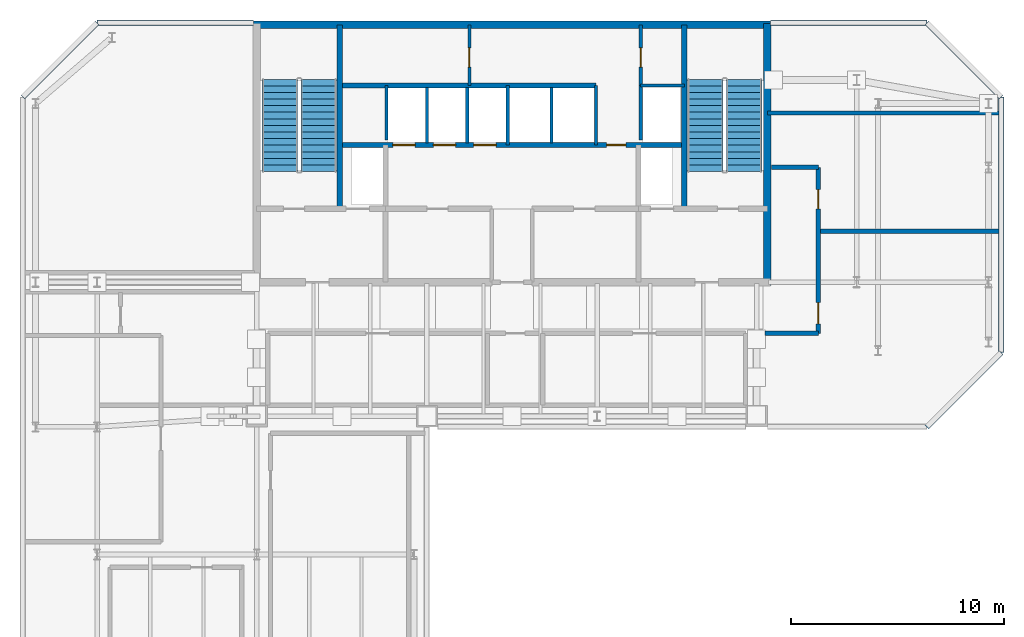
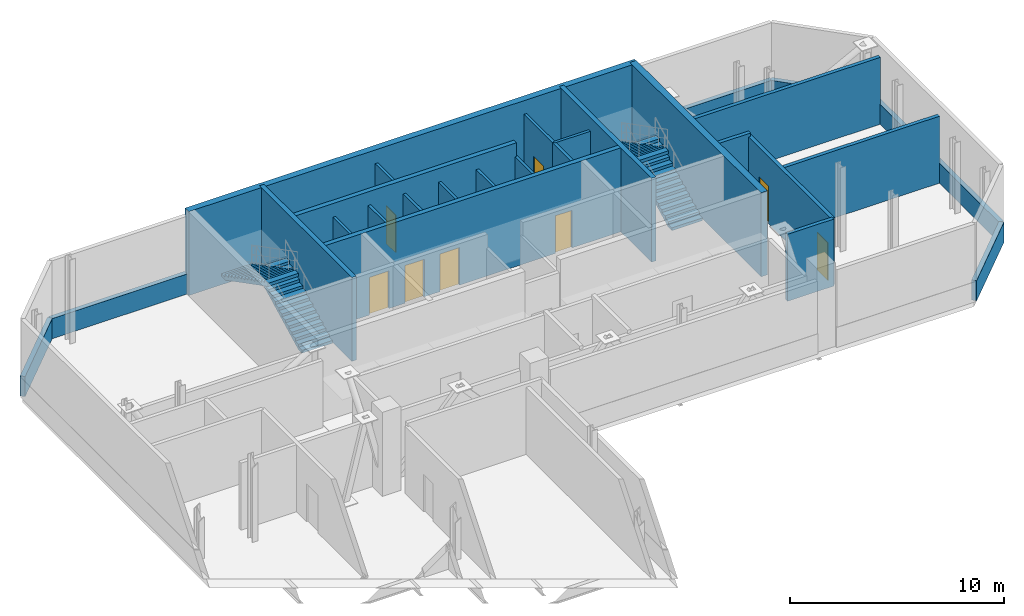
# One storey, part 5 of 7: 27 walls, 8 doors, 4 stair flights, 8 openings, 2 elements without a shape of their own.
"""IFC4 building model written with IfcOpenShell, lengths in metres."""

from ifc_helpers import new_model, si_unit, direction, frame, frame_2d, origin, place, context, subcontext, project, spatial, polyline, rectangle, outline, extrude, material, layer, layer_set, type_object, element, fill, aggregate, save


model = new_model("IFC4")

# Units and contexts
model_context = context("Model", 3, precision=1e-05, world=origin(), true_north=direction((0.0, 1.0)))
body_context = subcontext(model_context, "Body", "Model", "MODEL_VIEW")
ifc_project = project(units=[si_unit("LENGTHUNIT", "METRE"), si_unit("AREAUNIT", "SQUARE_METRE"), si_unit("VOLUMEUNIT", "CUBIC_METRE"), si_unit("PLANEANGLEUNIT", "RADIAN"), si_unit("MASSUNIT", "GRAM", prefix="KILO")], contexts=[model_context])

# Site, building, storey
site_placement = place(None, origin())
site = spatial("IfcSite", under=ifc_project, at=site_placement, CompositionType="ELEMENT")
building_placement = place(site_placement, origin())
building = spatial("IfcBuilding", under=site, at=building_placement, Name="Catumbela Crestline Tower", CompositionType="ELEMENT")
storey_placement = place(building_placement, frame((0.0, 0.0, 208.2)))
storey = spatial("IfcBuildingStorey", under=building, at=storey_placement, Name="L54", CompositionType="ELEMENT", Elevation=208.2)

# Walls
ifc_material_1 = material(Name="Concrete C50/60", Category="concrete")
ifc_layer_1 = layer(ifc_material_1, 0.25, Name="Concrete C50/60")
ifc_layer_set_1 = layer_set([ifc_layer_1], Name="Concrete C50/60")
wall_type_1 = type_object("IfcWallType", Name="CW-250D", PredefinedType="SHEAR", material=ifc_layer_set_1)
for number, where, z_axis, x_axis, name in (
    (1, (19.9, 34.25, 0.0), (0.0, 0.0, 1.0), (0.0, 1.0, 0.0), "L54 Structural Core Shear Wall WWEB"),
    (2, (36.1, 34.25, 0.0), (0.0, 0.0, 1.0), (0.0, 1.0, 0.0), "L54 Structural Core Shear Wall EWEB"),
):
    element("IfcWall", number, at=place(storey_placement, frame(where, z_axis=z_axis, x_axis=x_axis)), inside=storey, type_object=wall_type_1, Name=name, PredefinedType="SHEAR", context=body_context, shape_type="SweptSolid", body=[
        extrude(rectangle(XDim=8.65, YDim=0.25, at=frame_2d((4.325, 0.0))), origin(), (0.0, 0.0, 1.0), 4.8),
    ])

# Wall, openings, doors
wall_1_placement = place(storey_placement, frame((19.9, 37.25, 0.0), z_axis=(0.0, 0.0, 1.0), x_axis=(1.0, 0.0, 0.0)))
wall_1 = element("IfcWall", 3, at=wall_1_placement, inside=storey, type_object=wall_type_1, Name="L54 Structural Core Shear Wall LIFTN", PredefinedType="SHEAR", context=body_context, shape_type="SweptSolid", body=[
    extrude(rectangle(XDim=16.2, YDim=0.25, at=frame_2d((8.1, 0.0))), origin(), (0.0, 0.0, 1.0), 4.8),
])
opening_1_placement = place(wall_1_placement, frame((12.55, 0.0, 0.0)))
opening_1 = element("IfcOpeningElement", 4, at=opening_1_placement, cuts=wall_1, Name="Opening DF9-090", PredefinedType="OPENING", context=body_context, shape_type="SweptSolid", body=[
    extrude(rectangle(XDim=0.9, YDim=2.15, at=frame_2d((0.45, 1.075))), frame((0.0, 0.135, 0.0), z_axis=(0.0, -1.0, 0.0), x_axis=(1.0, 0.0, 0.0)), (0.0, 0.0, 1.0), 0.27),
])
opening_2_placement = place(wall_1_placement, frame((2.5, 0.0, 0.0)))
opening_2 = element("IfcOpeningElement", 5, at=opening_2_placement, cuts=wall_1, Name="Opening LD-105", PredefinedType="OPENING", context=body_context, shape_type="SweptSolid", body=[
    extrude(rectangle(XDim=1.05, YDim=2.15, at=frame_2d((0.525, 1.075))), frame((0.0, 0.135, 0.0), z_axis=(0.0, -1.0, 0.0), x_axis=(1.0, 0.0, 0.0)), (0.0, 0.0, 1.0), 0.27),
])
opening_3_placement = place(wall_1_placement, frame((4.4, 0.0, 0.0)))
opening_3 = element("IfcOpeningElement", 6, at=opening_3_placement, cuts=wall_1, Name="Opening LD-105", PredefinedType="OPENING", context=body_context, shape_type="SweptSolid", body=[
    extrude(rectangle(XDim=1.05, YDim=2.15, at=frame_2d((0.525, 1.075))), frame((0.0, 0.135, 0.0), z_axis=(0.0, -1.0, 0.0), x_axis=(1.0, 0.0, 0.0)), (0.0, 0.0, 1.0), 0.27),
])
opening_4_placement = place(wall_1_placement, frame((6.3, 0.0, 0.0)))
opening_4 = element("IfcOpeningElement", 7, at=opening_4_placement, cuts=wall_1, Name="Opening LD-105", PredefinedType="OPENING", context=body_context, shape_type="SweptSolid", body=[
    extrude(rectangle(XDim=1.05, YDim=2.15, at=frame_2d((0.525, 1.075))), frame((0.0, 0.135, 0.0), z_axis=(0.0, -1.0, 0.0), x_axis=(1.0, 0.0, 0.0)), (0.0, 0.0, 1.0), 0.27),
])
ifc_material_2 = material(Name="Stainless steel EN 1.4401", Category="steel")
door_type_1 = type_object("IfcDoorType", Name="DF9-090", OperationType="NOTDEFINED", PredefinedType="DOOR", material=ifc_material_2)
door_1_placement = place(opening_1_placement, origin())
door_1 = element("IfcDoor", 8, at=door_1_placement, inside=storey, type_object=door_type_1, Name="L54 Interior Door DR-L54-CPAS1", OperationType="SINGLE_SWING_LEFT", OverallHeight=2.15, OverallWidth=0.9, PredefinedType="DOOR", context=body_context, shape_type="SweptSolid", body=[
    extrude(rectangle(XDim=0.9, YDim=2.15, at=frame_2d((0.45, 1.075))), frame((0.0, 0.025, 0.0), z_axis=(0.0, -1.0, 0.0), x_axis=(1.0, 0.0, 0.0)), (0.0, 0.0, 1.0), 0.05),
])
fill(opening_1, door_1)
door_type_2 = type_object("IfcDoorType", Name="LD-105", OperationType="NOTDEFINED", PredefinedType="DOOR", material=ifc_material_2)
door_2_placement = place(opening_2_placement, origin())
door_2 = element("IfcDoor", 9, at=door_2_placement, inside=storey, type_object=door_type_2, Name="L54 Lift Landing Sliding Door PL-H1", OperationType="DOUBLE_DOOR_SLIDING", OverallHeight=2.15, OverallWidth=1.05, PredefinedType="DOOR", context=body_context, shape_type="SweptSolid", body=[
    extrude(rectangle(XDim=1.05, YDim=2.15, at=frame_2d((0.525, 1.075))), frame((0.0, 0.025, 0.0), z_axis=(0.0, -1.0, 0.0), x_axis=(1.0, 0.0, 0.0)), (0.0, 0.0, 1.0), 0.05),
])
fill(opening_2, door_2)
door_3_placement = place(opening_3_placement, origin())
door_3 = element("IfcDoor", 10, at=door_3_placement, inside=storey, type_object=door_type_2, Name="L54 Lift Landing Sliding Door PL-H2", OperationType="DOUBLE_DOOR_SLIDING", OverallHeight=2.15, OverallWidth=1.05, PredefinedType="DOOR", context=body_context, shape_type="SweptSolid", body=[
    extrude(rectangle(XDim=1.05, YDim=2.15, at=frame_2d((0.525, 1.075))), frame((0.0, 0.025, 0.0), z_axis=(0.0, -1.0, 0.0), x_axis=(1.0, 0.0, 0.0)), (0.0, 0.0, 1.0), 0.05),
])
fill(opening_3, door_3)
door_4_placement = place(opening_4_placement, origin())
door_4 = element("IfcDoor", 11, at=door_4_placement, inside=storey, type_object=door_type_2, Name="L54 Lift Landing Sliding Door PL-H3", OperationType="DOUBLE_DOOR_SLIDING", OverallHeight=2.15, OverallWidth=1.05, PredefinedType="DOOR", context=body_context, shape_type="SweptSolid", body=[
    extrude(rectangle(XDim=1.05, YDim=2.15, at=frame_2d((0.525, 1.075))), frame((0.0, 0.025, 0.0), z_axis=(0.0, -1.0, 0.0), x_axis=(1.0, 0.0, 0.0)), (0.0, 0.0, 1.0), 0.05),
])
fill(opening_4, door_4)

# Walls
wall_2_placement = place(storey_placement, frame((19.9, 40.05, 0.0), z_axis=(0.0, 0.0, 1.0), x_axis=(1.0, 0.0, 0.0)))
element("IfcWall", 12, at=wall_2_placement, inside=storey, type_object=wall_type_1, Name="L54 Structural Core Shear Wall COREN", PredefinedType="SHEAR", context=body_context, shape_type="SweptSolid", body=[
    extrude(rectangle(XDim=12.05, YDim=0.25, at=frame_2d((6.025, 0.0))), origin(), (0.0, 0.0, 1.0), 4.8),
])
ifc_layer_2 = layer(ifc_material_1, 0.35, Name="Concrete C50/60")
ifc_layer_set_2 = layer_set([ifc_layer_2], Name="Concrete C50/60")
wall_type_2 = type_object("IfcWallType", Name="CW-350B", PredefinedType="SHEAR", material=ifc_layer_set_2)
wall_3_placement = place(storey_placement, frame((40.0, 30.65, 0.0), z_axis=(0.0, 0.0, 1.0), x_axis=(0.0, 1.0, 0.0)))
element("IfcWall", 13, at=wall_3_placement, inside=storey, type_object=wall_type_2, Name="L54 Structural Core Shear Wall E", PredefinedType="SHEAR", context=body_context, shape_type="SweptSolid", body=[
    extrude(rectangle(XDim=12.3, YDim=0.35, at=frame_2d((6.15, 0.0))), origin(), (0.0, 0.0, 1.0), 4.8),
])
ifc_layer_3 = layer(ifc_material_1, 0.35, Name="Concrete C50/60")
ifc_layer_set_3 = layer_set([ifc_layer_3], Name="Concrete C50/60")
wall_type_3 = type_object("IfcWallType", Name="CW-350E", PredefinedType="SHEAR", material=ifc_layer_set_3)
wall_4_placement = place(storey_placement, frame((15.85, 42.9, 0.0), z_axis=(0.0, 0.0, 1.0), x_axis=(1.0, 0.0, 0.0)))
element("IfcWall", 14, at=wall_4_placement, inside=storey, type_object=wall_type_3, Name="L54 Structural Core Shear Wall N", PredefinedType="SHEAR", context=body_context, shape_type="SweptSolid", body=[
    extrude(rectangle(XDim=24.3, YDim=0.35, at=frame_2d((12.15, 0.0))), origin(), (0.0, 0.0, 1.0), 4.8),
])
ifc_material_3 = material(Name="Acoustic gypsum and mineral-wool partition")
ifc_layer_4 = layer(ifc_material_3, 0.2, Name="Acoustic gypsum and mineral-wool partition")
ifc_layer_set_4 = layer_set([ifc_layer_4], Name="Acoustic gypsum and mineral-wool partition")
wall_type_4 = type_object("IfcWallType", Name="WC-200", PredefinedType="PARTITIONING", material=ifc_layer_set_4)
wall_5_placement = place(storey_placement, frame((40.0, 38.75, 0.0), z_axis=(0.0, 0.0, 1.0), x_axis=(1.0, 0.0, 0.0)))
element("IfcWall", 15, at=wall_5_placement, inside=storey, type_object=wall_type_4, Name="L54 Interior Partition PW-L54-OULECAV-S", PredefinedType="PARTITIONING", context=body_context, shape_type="SweptSolid", body=[
    extrude(rectangle(XDim=10.9, YDim=0.2, at=frame_2d((5.45, 0.0))), origin(), (0.0, 0.0, 1.0), 3.83),
])
wall_6_placement = place(storey_placement, frame((39.9, 28.4, 0.0), z_axis=(0.0, 0.0, 1.0), x_axis=(1.0, 0.0, 0.0)))
element("IfcWall", 16, at=wall_6_placement, inside=storey, type_object=wall_type_4, Name="L54 Interior Partition PW-L54-SWGS", PredefinedType="PARTITIONING", context=body_context, shape_type="SweptSolid", body=[
    extrude(rectangle(XDim=2.5, YDim=0.2, at=frame_2d((1.25, 0.0))), origin(), (0.0, 0.0, 1.0), 3.83),
])
wall_7_placement = place(storey_placement, frame((42.4, 33.2, 0.0), z_axis=(0.0, 0.0, 1.0), x_axis=(1.0, 0.0, 0.0)))
element("IfcWall", 17, at=wall_7_placement, inside=storey, type_object=wall_type_4, Name="L54 Interior Partition PW-L54-SWGM", PredefinedType="PARTITIONING", context=body_context, shape_type="SweptSolid", body=[
    extrude(rectangle(XDim=8.5, YDim=0.2, at=frame_2d((4.25, 0.0))), origin(), (0.0, 0.0, 1.0), 3.83),
])
wall_8_placement = place(storey_placement, frame((40.2, 36.2, 0.0), z_axis=(0.0, 0.0, 1.0), x_axis=(1.0, 0.0, 0.0)))
element("IfcWall", 18, at=wall_8_placement, inside=storey, type_object=wall_type_4, Name="L54 Interior Partition PW-L54-SWGN", PredefinedType="PARTITIONING", context=body_context, shape_type="SweptSolid", body=[
    extrude(rectangle(XDim=2.2, YDim=0.2, at=frame_2d((1.1, 0.0))), origin(), (0.0, 0.0, 1.0), 4.02),
])

# Wall, openings, doors
wall_9_placement = place(storey_placement, frame((42.4, 28.4, 0.0), z_axis=(0.0, 0.0, 1.0), x_axis=(0.0, 1.0, 0.0)))
wall_9 = element("IfcWall", 19, at=wall_9_placement, inside=storey, type_object=wall_type_4, Name="L54 Interior Partition PW-L54-SWGE", PredefinedType="PARTITIONING", context=body_context, shape_type="SweptSolid", body=[
    extrude(rectangle(XDim=7.8, YDim=0.2, at=frame_2d((3.9, 0.0))), origin(), (0.0, 0.0, 1.0), 3.83),
])
opening_5_placement = place(wall_9_placement, frame((0.44, 0.0, 0.0)))
opening_5 = element("IfcOpeningElement", 20, at=opening_5_placement, cuts=wall_9, Name="Opening DF9-100", PredefinedType="OPENING", context=body_context, shape_type="SweptSolid", body=[
    extrude(rectangle(XDim=1.0, YDim=2.15, at=frame_2d((0.5, 1.075))), frame((0.0, 0.11, 0.0), z_axis=(0.0, -1.0, 0.0), x_axis=(1.0, 0.0, 0.0)), (0.0, 0.0, 1.0), 0.22),
])
opening_6_placement = place(wall_9_placement, frame((5.85, 0.0, 0.0)))
opening_6 = element("IfcOpeningElement", 21, at=opening_6_placement, cuts=wall_9, Name="Opening DF9-090", PredefinedType="OPENING", context=body_context, shape_type="SweptSolid", body=[
    extrude(rectangle(XDim=0.9, YDim=2.15, at=frame_2d((0.45, 1.075))), frame((0.0, 0.11, 0.0), z_axis=(0.0, -1.0, 0.0), x_axis=(1.0, 0.0, 0.0)), (0.0, 0.0, 1.0), 0.22),
])
door_5_placement = place(opening_6_placement, origin())
door_5 = element("IfcDoor", 22, at=door_5_placement, inside=storey, type_object=door_type_1, Name="L54 Interior Door DR-L54-BATT", OperationType="SINGLE_SWING_RIGHT", OverallHeight=2.15, OverallWidth=0.9, PredefinedType="DOOR", context=body_context, shape_type="SweptSolid", body=[
    extrude(rectangle(XDim=0.9, YDim=2.15, at=frame_2d((0.45, 1.075))), frame((0.0, 0.025, 0.0), z_axis=(0.0, -1.0, 0.0), x_axis=(1.0, 0.0, 0.0)), (0.0, 0.0, 1.0), 0.05),
])
fill(opening_6, door_5)
door_type_3 = type_object("IfcDoorType", Name="DF9-100", OperationType="NOTDEFINED", PredefinedType="DOOR", material=ifc_material_2)
door_6_placement = place(opening_5_placement, origin())
door_6 = element("IfcDoor", 23, at=door_6_placement, inside=storey, type_object=door_type_3, Name="L54 Interior Door DR-L54-SWGE", OperationType="SINGLE_SWING_RIGHT", OverallHeight=2.15, OverallWidth=1.0, PredefinedType="DOOR", context=body_context, shape_type="SweptSolid", body=[
    extrude(rectangle(XDim=1.0, YDim=2.15, at=frame_2d((0.5, 1.075))), frame((0.0, 0.025, 0.0), z_axis=(0.0, -1.0, 0.0), x_axis=(1.0, 0.0, 0.0)), (0.0, 0.0, 1.0), 0.05),
])
fill(opening_5, door_6)

# Walls
ifc_material_4 = material(Name="Angolan grey-ochre granite", Category="masonry")
ifc_layer_5 = layer(ifc_material_4, 0.25, Name="Angolan grey-ochre granite")
ifc_layer_set_5 = layer_set([ifc_layer_5], Name="Angolan grey-ochre granite")
wall_type_5 = type_object("IfcWallType", Name="WE-250", PredefinedType="STANDARD", material=ifc_layer_set_5)
wall_10_placement = place(storey_placement, frame((47.5, 24.0, 0.0), z_axis=(0.0, 0.0, 1.0), x_axis=(0.707106781187, 0.707106781187, 0.0)))
element("IfcWall", 24, at=wall_10_placement, inside=storey, type_object=wall_type_5, Name="L54 Mechanical Spandrel Upstand Wall 4-1", PredefinedType="STANDARD", context=body_context, shape_type="SweptSolid", body=[
    extrude(rectangle(XDim=4.9497, YDim=0.25, at=frame_2d((2.4748, 0.0))), origin(), (0.0, 0.0, 1.0), 1.15),
])
wall_11_placement = place(storey_placement, frame((51.0, 27.5, 0.0), z_axis=(0.0, 0.0, 1.0), x_axis=(0.0, 1.0, 0.0)))
element("IfcWall", 25, at=wall_11_placement, inside=storey, type_object=wall_type_5, Name="L54 Mechanical Spandrel Upstand Wall 5-1", PredefinedType="STANDARD", context=body_context, shape_type="SweptSolid", body=[
    extrude(rectangle(XDim=12.0, YDim=0.25, at=frame_2d((6.0, 0.0))), origin(), (0.0, 0.0, 1.0), 1.15),
])
wall_12_placement = place(storey_placement, frame((51.0, 39.5, 0.0), z_axis=(0.0, 0.0, 1.0), x_axis=(-0.707106781187, 0.707106781187, 0.0)))
element("IfcWall", 26, at=wall_12_placement, inside=storey, type_object=wall_type_5, Name="L54 Mechanical Spandrel Upstand Wall 6-1", PredefinedType="STANDARD", context=body_context, shape_type="SweptSolid", body=[
    extrude(rectangle(XDim=4.9497, YDim=0.25, at=frame_2d((2.4748, 0.0))), origin(), (0.0, 0.0, 1.0), 1.15),
])
for number, where, z_axis, x_axis, name in (
    (27, (47.5, 43.0, 0.0), (0.0, 0.0, 1.0), (-1.0, 0.0, 0.0), "L54 Mechanical Spandrel Upstand Wall 7-1"),
    (28, (15.86, 43.0, 0.0), (0.0, 0.0, 1.0), (-1.0, 0.0, 0.0), "L54 Mechanical Spandrel Upstand Wall 7-2"),
):
    element("IfcWall", number, at=place(storey_placement, frame(where, z_axis=z_axis, x_axis=x_axis)), inside=storey, type_object=wall_type_5, Name=name, PredefinedType="STANDARD", context=body_context, shape_type="SweptSolid", body=[
        extrude(rectangle(XDim=7.36, YDim=0.25, at=frame_2d((3.68, 0.0))), origin(), (0.0, 0.0, 1.0), 1.15),
    ])
wall_13_placement = place(storey_placement, frame((8.5, 43.0, 0.0), z_axis=(0.0, 0.0, 1.0), x_axis=(-0.707106781187, -0.707106781187, 0.0)))
element("IfcWall", 29, at=wall_13_placement, inside=storey, type_object=wall_type_5, Name="L54 Mechanical Spandrel Upstand Wall 8-1", PredefinedType="STANDARD", context=body_context, shape_type="SweptSolid", body=[
    extrude(rectangle(XDim=4.9497, YDim=0.25, at=frame_2d((2.4748, 0.0))), origin(), (0.0, 0.0, 1.0), 1.15),
])
ifc_layer_6 = layer(ifc_material_3, 0.15, Name="Acoustic gypsum and mineral-wool partition")
ifc_layer_set_6 = layer_set([ifc_layer_6], Name="Acoustic gypsum and mineral-wool partition")
wall_type_6 = type_object("IfcWallType", Name="WP-150", PredefinedType="PARTITIONING", material=ifc_layer_set_6)
wall_14_placement = place(storey_placement, frame((34.05, 40.05, 0.0), z_axis=(0.0, 0.0, 1.0), x_axis=(1.0, 0.0, 0.0)))
element("IfcWall", 30, at=wall_14_placement, inside=storey, type_object=wall_type_6, Name="L54 Interior Partition PW-L54-CR-ES", PredefinedType="PARTITIONING", context=body_context, shape_type="SweptSolid", body=[
    extrude(rectangle(XDim=2.05, YDim=0.15, at=frame_2d((1.025, 0.0))), origin(), (0.0, 0.0, 1.0), 4.02),
])

# Wall, opening, door
wall_15_placement = place(storey_placement, frame((34.05, 40.05, 0.0), z_axis=(0.0, 0.0, 1.0), x_axis=(0.0, 1.0, 0.0)))
wall_15 = element("IfcWall", 31, at=wall_15_placement, inside=storey, type_object=wall_type_6, Name="L54 Interior Partition PW-L54-CR-EW", PredefinedType="PARTITIONING", context=body_context, shape_type="SweptSolid", body=[
    extrude(rectangle(XDim=2.85, YDim=0.15, at=frame_2d((1.425, 0.0))), origin(), (0.0, 0.0, 1.0), 4.02),
])
opening_7_placement = place(wall_15_placement, frame((0.865, 0.0, 0.0)))
opening_7 = element("IfcOpeningElement", 32, at=opening_7_placement, cuts=wall_15, Name="Opening DF9-090", PredefinedType="OPENING", context=body_context, shape_type="SweptSolid", body=[
    extrude(rectangle(XDim=0.9, YDim=2.15, at=frame_2d((0.45, 1.075))), frame((0.0, 0.085, 0.0), z_axis=(0.0, -1.0, 0.0), x_axis=(1.0, 0.0, 0.0)), (0.0, 0.0, 1.0), 0.17),
])
door_7_placement = place(opening_7_placement, origin())
door_7 = element("IfcDoor", 33, at=door_7_placement, inside=storey, type_object=door_type_1, Name="L54 Interior Door DR-L54-CREAST", OperationType="SINGLE_SWING_RIGHT", OverallHeight=2.15, OverallWidth=0.9, PredefinedType="DOOR", context=body_context, shape_type="SweptSolid", body=[
    extrude(rectangle(XDim=0.9, YDim=2.15, at=frame_2d((0.45, 1.075))), frame((0.0, 0.025, 0.0), z_axis=(0.0, -1.0, 0.0), x_axis=(1.0, 0.0, 0.0)), (0.0, 0.0, 1.0), 0.05),
])
fill(opening_7, door_7)

wall_16_placement = place(storey_placement, frame((26.0, 40.05, 0.0), z_axis=(0.0, 0.0, 1.0), x_axis=(0.0, 1.0, 0.0)))
wall_16 = element("IfcWall", 34, at=wall_16_placement, inside=storey, type_object=wall_type_6, Name="L54 Interior Partition PW-L54-CR-WW", PredefinedType="PARTITIONING", context=body_context, shape_type="SweptSolid", body=[
    extrude(rectangle(XDim=2.85, YDim=0.15, at=frame_2d((1.425, 0.0))), origin(), (0.0, 0.0, 1.0), 4.02),
])
opening_8_placement = place(wall_16_placement, frame((0.865, 0.0, 0.0)))
opening_8 = element("IfcOpeningElement", 35, at=opening_8_placement, cuts=wall_16, Name="Opening DF9-090", PredefinedType="OPENING", context=body_context, shape_type="SweptSolid", body=[
    extrude(rectangle(XDim=0.9, YDim=2.15, at=frame_2d((0.45, 1.075))), frame((0.0, 0.085, 0.0), z_axis=(0.0, -1.0, 0.0), x_axis=(1.0, 0.0, 0.0)), (0.0, 0.0, 1.0), 0.17),
])
door_8_placement = place(opening_8_placement, origin())
door_8 = element("IfcDoor", 36, at=door_8_placement, inside=storey, type_object=door_type_1, Name="L54 Interior Door DR-L54-CRWEST", OperationType="SINGLE_SWING_LEFT", OverallHeight=2.15, OverallWidth=0.9, PredefinedType="DOOR", context=body_context, shape_type="SweptSolid", body=[
    extrude(rectangle(XDim=0.9, YDim=2.15, at=frame_2d((0.45, 1.075))), frame((0.0, 0.025, 0.0), z_axis=(0.0, -1.0, 0.0), x_axis=(1.0, 0.0, 0.0)), (0.0, 0.0, 1.0), 0.05),
])
fill(opening_8, door_8)

# Walls
ifc_layer_7 = layer(ifc_material_3, 0.15, Name="Acoustic gypsum and mineral-wool partition")
ifc_layer_set_7 = layer_set([ifc_layer_7], Name="Acoustic gypsum and mineral-wool partition")
wall_type_7 = type_object("IfcWallType", Name="WS-150", PredefinedType="PLUMBINGWALL", material=ifc_layer_set_7)
wall_17_placement = place(storey_placement, frame((22.1, 37.4897, 0.0), z_axis=(0.0, 0.0, 1.0), x_axis=(0.0, 1.0, 0.0)))
element("IfcWall", 37, at=wall_17_placement, inside=storey, type_object=wall_type_7, Name="L54 Interior Partition PW-L54-SHH0", PredefinedType="PLUMBINGWALL", context=body_context, shape_type="SweptSolid", body=[
    extrude(rectangle(XDim=2.5603, YDim=0.15, at=frame_2d((1.2801, 0.0))), origin(), (0.0, 0.0, 1.0), 4.02),
])
wall_18_placement = place(storey_placement, frame((27.8, 37.25, 0.0), z_axis=(0.0, 0.0, 1.0), x_axis=(0.0, 1.0, 0.0)))
element("IfcWall", 38, at=wall_18_placement, inside=storey, type_object=wall_type_7, Name="L54 Interior Partition PW-L54-SHH3", PredefinedType="PLUMBINGWALL", context=body_context, shape_type="SweptSolid", body=[
    extrude(rectangle(XDim=2.8, YDim=0.15, at=frame_2d((1.4, 0.0))), origin(), (0.0, 0.0, 1.0), 4.02),
])
for number, where, z_axis, x_axis, name in (
    (39, (24.0, 37.35, 0.0), (0.0, 0.0, 1.0), (0.0, 1.0, 0.0), "L54 Interior Partition PW-L54-SHH1"),
    (40, (25.9, 37.35, 0.0), (0.0, 0.0, 1.0), (0.0, 1.0, 0.0), "L54 Interior Partition PW-L54-SHH2"),
):
    element("IfcWall", number, at=place(storey_placement, frame(where, z_axis=z_axis, x_axis=x_axis)), inside=storey, type_object=wall_type_7, Name=name, PredefinedType="PLUMBINGWALL", context=body_context, shape_type="SweptSolid", body=[
        extrude(rectangle(XDim=2.6, YDim=0.15, at=frame_2d((1.3, 0.0))), origin(), (0.0, 0.0, 1.0), 4.02),
    ])
wall_19_placement = place(storey_placement, frame((31.95, 37.25, 0.0), z_axis=(0.0, 0.0, 1.0), x_axis=(0.0, 1.0, 0.0)))
element("IfcWall", 41, at=wall_19_placement, inside=storey, type_object=wall_type_7, Name="L54 Interior Partition PW-L54-SHEX2E", PredefinedType="PLUMBINGWALL", context=body_context, shape_type="SweptSolid", body=[
    extrude(rectangle(XDim=2.8, YDim=0.15, at=frame_2d((1.4, 0.0))), origin(), (0.0, 0.0, 1.0), 4.02),
])
wall_20_placement = place(storey_placement, frame((29.85, 37.35, 0.0), z_axis=(0.0, 0.0, 1.0), x_axis=(0.0, 1.0, 0.0)))
element("IfcWall", 42, at=wall_20_placement, inside=storey, type_object=wall_type_7, Name="L54 Interior Partition PW-L54-SHEX1", PredefinedType="PLUMBINGWALL", context=body_context, shape_type="SweptSolid", body=[
    extrude(rectangle(XDim=2.6, YDim=0.15, at=frame_2d((1.3, 0.0))), origin(), (0.0, 0.0, 1.0), 4.02),
])
wall_21_placement = place(storey_placement, frame((34.05, 37.4734, 0.0), z_axis=(0.0, 0.0, 1.0), x_axis=(0.0, 1.0, 0.0)))
element("IfcWall", 43, at=wall_21_placement, inside=storey, type_object=wall_type_7, Name="L54 Interior Partition PW-L54-RISW", PredefinedType="PLUMBINGWALL", context=body_context, shape_type="SweptSolid", body=[
    extrude(rectangle(XDim=2.5766, YDim=0.15, at=frame_2d((1.2883, 0.0))), origin(), (0.0, 0.0, 1.0), 4.02),
])

# Stair, stair flights
ifc_material_5 = material(Name="Concrete C45/55", Category="concrete")
stair_type = type_object("IfcStairType", Name="ST-DLG", PredefinedType="HALF_TURN_STAIR", material=ifc_material_5)
stair_1_placement = place(storey_placement, origin())
stair_1 = element("IfcStair", 44, at=stair_1_placement, inside=storey, type_object=stair_type, Name="L54 West Core Pressurised Exit Stair ST-01", PredefinedType="HALF_TURN_STAIR")
stair_flight_type = type_object("IfcStairFlightType", Name="SF-1600", PredefinedType="STRAIGHT", material=ifc_material_5)
stair_flight_1_placement = place(storey_placement, frame((18.92, 36.0, 0.0), z_axis=(0.0, 0.0, 1.0), x_axis=(0.0, 1.0, 0.0)))
stair_flight_1 = element("IfcStairFlight", 45, at=stair_flight_1_placement, type_object=stair_flight_type, Name="ST-01 flight 1", NumberOfRisers=15, NumberOfTreads=14, PredefinedType="STRAIGHT", RiserHeight=0.16, TreadLength=0.31, context=body_context, shape_type="SweptSolid", body=[
    extrude(outline(polyline([(0.0, 0.0), (0.0, 0.16), (0.31, 0.16), (0.31, 0.32), (0.62, 0.32), (0.62, 0.48), (0.93, 0.48), (0.93, 0.64), (1.24, 0.64), (1.24, 0.8), (1.55, 0.8), (1.55, 0.96), (1.86, 0.96), (1.86, 1.12), (2.17, 1.12), (2.17, 1.28), (2.48, 1.28), (2.48, 1.44), (2.79, 1.44), (2.79, 1.6), (3.1, 1.6), (3.1, 1.76), (3.41, 1.76), (3.41, 1.92), (3.72, 1.92), (3.72, 2.08), (4.03, 2.08), (4.03, 2.24), (4.34, 2.24), (4.34, 2.4), (4.34, 2.0599), (0.3489, 0.0), (0.0, 0.0)])), frame((0.0, 0.83, 0.0), z_axis=(0.0, -1.0, 0.0), x_axis=(1.0, 0.0, 0.0)), (0.0, 0.0, 1.0), 1.66),
])
stair_flight_2_placement = place(storey_placement, frame((17.08, 40.34, 2.4), z_axis=(0.0, 0.0, 1.0), x_axis=(0.0, -1.0, 0.0)))
stair_flight_2 = element("IfcStairFlight", 46, at=stair_flight_2_placement, type_object=stair_flight_type, Name="ST-01 flight 2", NumberOfRisers=15, NumberOfTreads=14, PredefinedType="STRAIGHT", RiserHeight=0.16, TreadLength=0.31, context=body_context, shape_type="SweptSolid", body=[
    extrude(outline(polyline([(0.0, 0.0), (0.0, 0.16), (0.31, 0.16), (0.31, 0.32), (0.62, 0.32), (0.62, 0.48), (0.93, 0.48), (0.93, 0.64), (1.24, 0.64), (1.24, 0.8), (1.55, 0.8), (1.55, 0.96), (1.86, 0.96), (1.86, 1.12), (2.17, 1.12), (2.17, 1.28), (2.48, 1.28), (2.48, 1.44), (2.79, 1.44), (2.79, 1.6), (3.1, 1.6), (3.1, 1.76), (3.41, 1.76), (3.41, 1.92), (3.72, 1.92), (3.72, 2.08), (4.03, 2.08), (4.03, 2.24), (4.34, 2.24), (4.34, 2.4), (4.34, 2.0599), (0.3489, 0.0), (0.0, 0.0)])), frame((0.0, 0.83, 0.0), z_axis=(0.0, -1.0, 0.0), x_axis=(1.0, 0.0, 0.0)), (0.0, 0.0, 1.0), 1.66),
])
aggregate(stair_1, [stair_flight_1, stair_flight_2])

stair_2_placement = place(storey_placement, origin())
stair_2 = element("IfcStair", 47, at=stair_2_placement, inside=storey, type_object=stair_type, Name="L54 East Core Pressurised Exit Stair ST-02", PredefinedType="HALF_TURN_STAIR")
stair_flight_3_placement = place(storey_placement, frame((38.92, 36.0, 0.0), z_axis=(0.0, 0.0, 1.0), x_axis=(0.0, 1.0, 0.0)))
stair_flight_3 = element("IfcStairFlight", 48, at=stair_flight_3_placement, type_object=stair_flight_type, Name="ST-02 flight 1", NumberOfRisers=15, NumberOfTreads=14, PredefinedType="STRAIGHT", RiserHeight=0.16, TreadLength=0.31, context=body_context, shape_type="SweptSolid", body=[
    extrude(outline(polyline([(0.0, 0.0), (0.0, 0.16), (0.31, 0.16), (0.31, 0.32), (0.62, 0.32), (0.62, 0.48), (0.93, 0.48), (0.93, 0.64), (1.24, 0.64), (1.24, 0.8), (1.55, 0.8), (1.55, 0.96), (1.86, 0.96), (1.86, 1.12), (2.17, 1.12), (2.17, 1.28), (2.48, 1.28), (2.48, 1.44), (2.79, 1.44), (2.79, 1.6), (3.1, 1.6), (3.1, 1.76), (3.41, 1.76), (3.41, 1.92), (3.72, 1.92), (3.72, 2.08), (4.03, 2.08), (4.03, 2.24), (4.34, 2.24), (4.34, 2.4), (4.34, 2.0599), (0.3489, 0.0), (0.0, 0.0)])), frame((0.0, 0.83, 0.0), z_axis=(0.0, -1.0, 0.0), x_axis=(1.0, 0.0, 0.0)), (0.0, 0.0, 1.0), 1.66),
])
stair_flight_4_placement = place(storey_placement, frame((37.08, 40.34, 2.4), z_axis=(0.0, 0.0, 1.0), x_axis=(0.0, -1.0, 0.0)))
stair_flight_4 = element("IfcStairFlight", 49, at=stair_flight_4_placement, type_object=stair_flight_type, Name="ST-02 flight 2", NumberOfRisers=15, NumberOfTreads=14, PredefinedType="STRAIGHT", RiserHeight=0.16, TreadLength=0.31, context=body_context, shape_type="SweptSolid", body=[
    extrude(outline(polyline([(0.0, 0.0), (0.0, 0.16), (0.31, 0.16), (0.31, 0.32), (0.62, 0.32), (0.62, 0.48), (0.93, 0.48), (0.93, 0.64), (1.24, 0.64), (1.24, 0.8), (1.55, 0.8), (1.55, 0.96), (1.86, 0.96), (1.86, 1.12), (2.17, 1.12), (2.17, 1.28), (2.48, 1.28), (2.48, 1.44), (2.79, 1.44), (2.79, 1.6), (3.1, 1.6), (3.1, 1.76), (3.41, 1.76), (3.41, 1.92), (3.72, 1.92), (3.72, 2.08), (4.03, 2.08), (4.03, 2.24), (4.34, 2.24), (4.34, 2.4), (4.34, 2.0599), (0.3489, 0.0), (0.0, 0.0)])), frame((0.0, 0.83, 0.0), z_axis=(0.0, -1.0, 0.0), x_axis=(1.0, 0.0, 0.0)), (0.0, 0.0, 1.0), 1.66),
])
aggregate(stair_2, [stair_flight_3, stair_flight_4])

save(model, "model.ifc")
